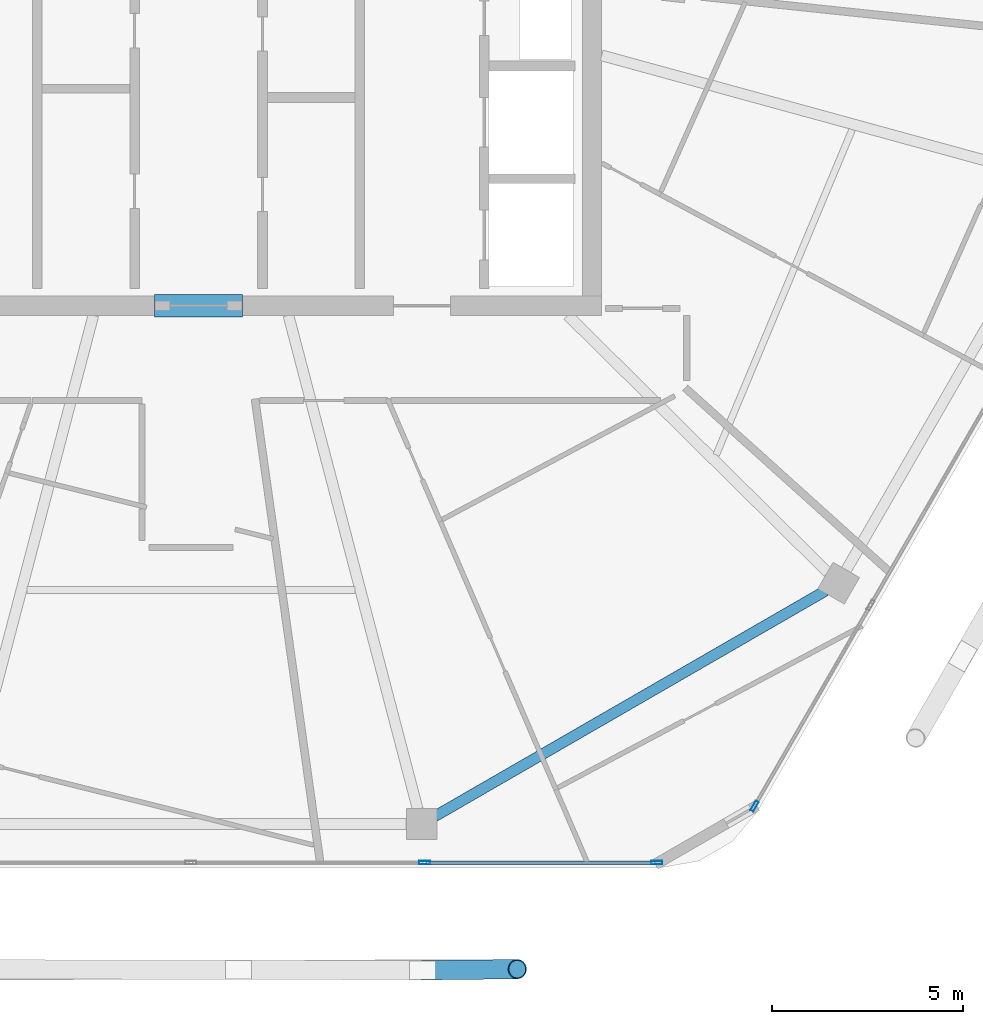
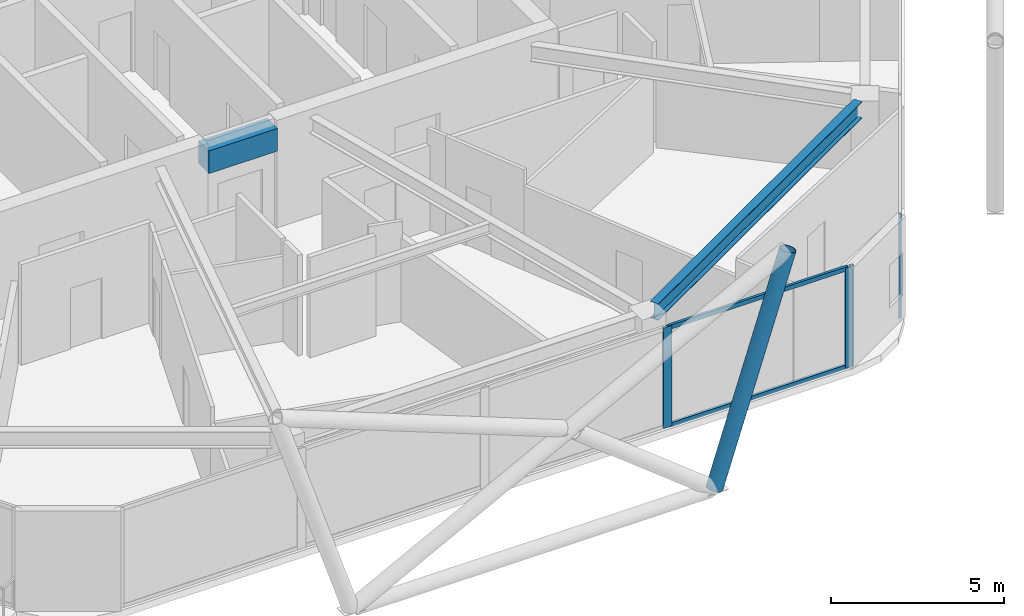
# One storey, part 7 of 24: 6 members, 2 beams, 2 elements without a shape of their own.
"""IFC4 building model written with IfcOpenShell, lengths in metres."""

from ifc_helpers import new_model, si_unit, direction, frame, origin, origin_2d, place, context, subcontext, project, spatial, rectangle, hollow_rectangle, hollow_circle, i_section, extrude, material, material_profile, profile_set, type_object, element, aggregate, save


model = new_model("IFC4")

# Units and contexts
model_context = context("Model", 3, precision=1e-05, world=origin(), true_north=direction((0.0, 1.0)))
body_context = subcontext(model_context, "Body", "Model", "MODEL_VIEW")
ifc_project = project(units=[si_unit("LENGTHUNIT", "METRE"), si_unit("AREAUNIT", "SQUARE_METRE"), si_unit("VOLUMEUNIT", "CUBIC_METRE"), si_unit("PLANEANGLEUNIT", "RADIAN"), si_unit("MASSUNIT", "GRAM", prefix="KILO")], contexts=[model_context])

# Site, building, storey
site_placement = place(None, origin())
site = spatial("IfcSite", under=ifc_project, at=site_placement, CompositionType="ELEMENT")
building_placement = place(site_placement, origin())
building = spatial("IfcBuilding", under=site, at=building_placement, Name="Zuhravey Tower", CompositionType="ELEMENT")
storey_placement = place(building_placement, frame((0.0, 0.0, 308.199951171875)))
storey = spatial("IfcBuildingStorey", under=building, at=storey_placement, Name="L78", CompositionType="ELEMENT", Elevation=308.199951171875)

# Beam
ifc_material_1 = material(Name="Concrete C50/60", Category="concrete")
ifc_material_profile_1 = material_profile(ifc_material_1, rectangle(XDim=0.60009765625, YDim=0.800048828125, at=origin_2d()), Name="RC-600x800")
ifc_profile_set_1 = profile_set([ifc_material_profile_1], Name="Concrete C50/60")
beam_type_1 = type_object("IfcBeamType", Name="Core Coupling Beam RC600x800", PredefinedType="LINTEL", material=ifc_profile_set_1)
beam_1_placement = place(storey_placement, frame((35.052001953125, 22.5, 3.150146484375), z_axis=(1.0, 0.0, 0.0), x_axis=(0.0, 1.0, 0.0)))
element("IfcBeam", 1, at=beam_1_placement, inside=storey, type_object=beam_type_1, Name="L78 CB2 BM-L78-CB-S", PredefinedType="LINTEL", context=body_context, shape_type="SweptSolid", body=[
    extrude(rectangle(XDim=0.60009765625, YDim=0.800048828125, at=origin_2d()), origin(), (0.0, 0.0, 1.0), 2.2958984375),
])

# Curtain wall, member
ifc_material_2 = material(Name="Thermally broken anodised aluminium", Category="aluminium")
curtain_wall_type = type_object("IfcCurtainWallType", Name="Zone 3-4 High-Rise Curtain Wall CW4", PredefinedType="NOTDEFINED", material=ifc_material_2)
curtain_wall_1_placement = place(storey_placement, origin())
curtain_wall_1 = element("IfcCurtainWall", 2, at=curtain_wall_1_placement, inside=storey, type_object=curtain_wall_type, Name="L78 CW4 CW-L78-F6-1", PredefinedType="NOTDEFINED")
ifc_material_3 = material(Name="Anodised aluminium", Category="aluminium")
ifc_material_profile_2 = material_profile(ifc_material_3, hollow_rectangle(XDim=0.090087890625, YDim=0.284912109375, WallThickness=0.0048828125, at=origin_2d()), Name="ALU-RHS-90x285x5")
ifc_profile_set_2 = profile_set([ifc_material_profile_2], Name="Anodised aluminium")
member_type_1 = type_object("IfcMemberType", Name="Curtain-Wall Mullion 90x180", PredefinedType="MULLION", material=ifc_profile_set_2)
member_1_placement = place(storey_placement, frame((50.751708984375, 9.40234375, 0.0), z_axis=(0.0, 0.0, 1.0), x_axis=(0.866025511541, -0.49999981336, 0.0)))
member_1 = element("IfcMember", 3, at=member_1_placement, type_object=member_type_1, Name="CW4 mullion 5", PredefinedType="MULLION", context=body_context, shape_type="SweptSolid", body=[
    extrude(hollow_rectangle(XDim=0.090087890625, YDim=0.284912109375, WallThickness=0.0048828125, at=origin_2d()), origin(), (0.0, 0.0, 1.0), 3.550048828125),
])
aggregate(curtain_wall_1, [member_1])

# Curtain wall, members
curtain_wall_2_placement = place(storey_placement, origin())
curtain_wall_2 = element("IfcCurtainWall", 4, at=curtain_wall_2_placement, inside=storey, type_object=curtain_wall_type, Name="L78 CW4 CW-L78-F5-1", PredefinedType="NOTDEFINED")
member_2_placement = place(storey_placement, frame((48.1943359375, 7.92578125, 0.0), z_axis=(0.0, 0.0, 1.0), x_axis=(0.0, -1.0, 0.0)))
member_2 = element("IfcMember", 5, at=member_2_placement, type_object=member_type_1, Name="CW4 mullion 1", PredefinedType="MULLION", context=body_context, shape_type="SweptSolid", body=[
    extrude(hollow_rectangle(XDim=0.090087890625, YDim=0.284912109375, WallThickness=0.0048828125, at=origin_2d()), origin(), (0.0, 0.0, 1.0), 3.550048828125),
])
member_3_placement = place(storey_placement, frame((42.11962890625, 7.92578125, 0.0), z_axis=(0.0, 0.0, 1.0), x_axis=(0.0, -1.0, 0.0)))
member_3 = element("IfcMember", 6, at=member_3_placement, type_object=member_type_1, Name="CW4 mullion 2", PredefinedType="MULLION", context=body_context, shape_type="SweptSolid", body=[
    extrude(hollow_rectangle(XDim=0.090087890625, YDim=0.284912109375, WallThickness=0.0048828125, at=origin_2d()), origin(), (0.0, 0.0, 1.0), 3.550048828125),
])
ifc_material_profile_3 = material_profile(ifc_material_3, hollow_rectangle(XDim=0.090087890625, YDim=0.14990234375, WallThickness=0.0048828125, at=origin_2d()), Name="ALU-RHS-90x150x5")
ifc_profile_set_3 = profile_set([ifc_material_profile_3], Name="Anodised aluminium")
member_type_2 = type_object("IfcMemberType", Name="Curtain-Wall Transom 90x150", PredefinedType="USERDEFINED", material=ifc_profile_set_3)
member_4_placement = place(storey_placement, frame((48.1494140625, 7.92578125, 0.045166015625), z_axis=(-1.0, 0.0, 0.0), x_axis=(0.0, -1.0, 0.0)))
member_4 = element("IfcMember", 7, at=member_4_placement, type_object=member_type_2, Name="CW4 transom 1.1", ObjectType="TRANSOM", PredefinedType="USERDEFINED", context=body_context, shape_type="SweptSolid", body=[
    extrude(hollow_rectangle(XDim=0.090087890625, YDim=0.14990234375, WallThickness=0.0048828125, at=origin_2d()), origin(), (0.0, 0.0, 1.0), 5.98486328125),
])
member_5_placement = place(storey_placement, frame((48.1494140625, 7.92578125, 3.505126953125), z_axis=(-1.0, 0.0, 0.0), x_axis=(0.0, -1.0, 0.0)))
member_5 = element("IfcMember", 8, at=member_5_placement, type_object=member_type_2, Name="CW4 transom 1.2", ObjectType="TRANSOM", PredefinedType="USERDEFINED", context=body_context, shape_type="SweptSolid", body=[
    extrude(hollow_rectangle(XDim=0.090087890625, YDim=0.14990234375, WallThickness=0.0048828125, at=origin_2d()), origin(), (0.0, 0.0, 1.0), 5.98486328125),
])
aggregate(curtain_wall_2, [member_2, member_3, member_4, member_5])

# Member
ifc_material_4 = material(Name="Steel SM355", Category="steel")
ifc_material_profile_4 = material_profile(ifc_material_4, hollow_circle(Radius=0.25390625, WallThickness=0.02490234375, at=origin_2d()), Name="CHS-508.0x25")
ifc_profile_set_4 = profile_set([ifc_material_profile_4], Name="Steel SM355")
member_type_3 = type_object("IfcMemberType", Name="Exoskeleton Zone 4 Diagrid CHS508x25", PredefinedType="BRACE", material=ifc_profile_set_4)
member_6_placement = place(storey_placement, frame((42.072509765625, 5.10595703125, -0.447998046875), z_axis=(0.310451636696, 0.003741120079, 0.950581814098), x_axis=(-0.012049698022, 0.999927399753, 0.0)))
element("IfcMember", 9, at=member_6_placement, inside=storey, type_object=member_type_3, Name="L78 Face 5 Diagrid Brace 4", PredefinedType="BRACE", context=body_context, shape_type="SweptSolid", body=[
    extrude(hollow_circle(Radius=0.25390625, WallThickness=0.02490234375, at=origin_2d()), origin(), (0.0, 0.0, 1.0), 7.961669921875),
])

# Beam
ifc_material_profile_5 = material_profile(ifc_material_4, i_section(OverallWidth=0.280029296875, OverallDepth=0.580078125, WebThickness=0.011962890625, FlangeThickness=0.01904296875, at=origin_2d()), Name="H-580x280x12x19")
ifc_profile_set_5 = profile_set([ifc_material_profile_5], Name="Steel SM355")
beam_type_2 = type_object("IfcBeamType", Name="Perimeter Ring Beam H580x280", PredefinedType="BEAM", material=ifc_profile_set_5)
beam_2_placement = place(storey_placement, frame((42.3876953125, 9.137451171875, 3.260009765625), z_axis=(0.866023977509, 0.500002470373, 0.0), x_axis=(-0.500002470373, 0.866023977509, 0.0)))
element("IfcBeam", 10, at=beam_2_placement, inside=storey, type_object=beam_type_2, Name="L78 PB4 BM-L78-PB-10", PredefinedType="BEAM", context=body_context, shape_type="SweptSolid", body=[
    extrude(i_section(OverallWidth=0.280029296875, OverallDepth=0.580078125, WebThickness=0.011962890625, FlangeThickness=0.01904296875, at=origin_2d()), origin(), (0.0, 0.0, 1.0), 11.798828125),
])

save(model, "model.ifc")
